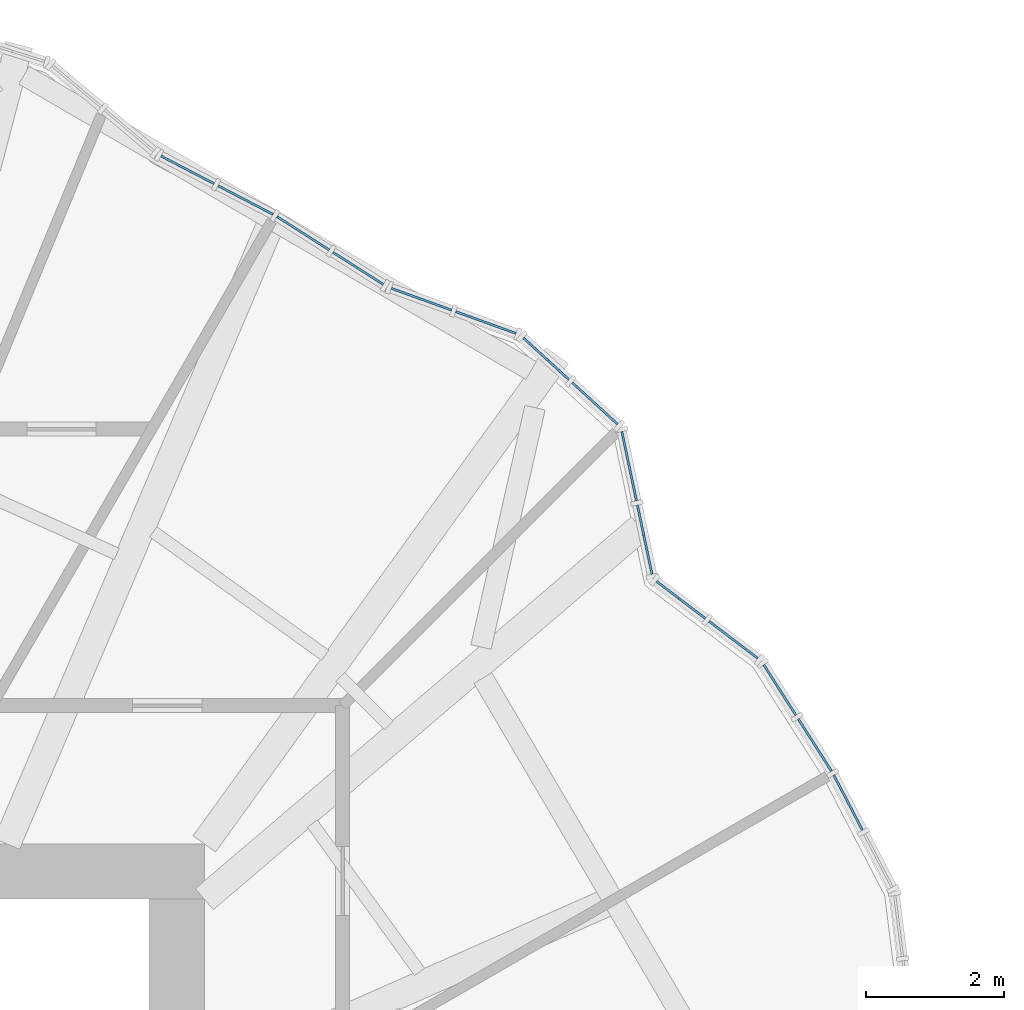
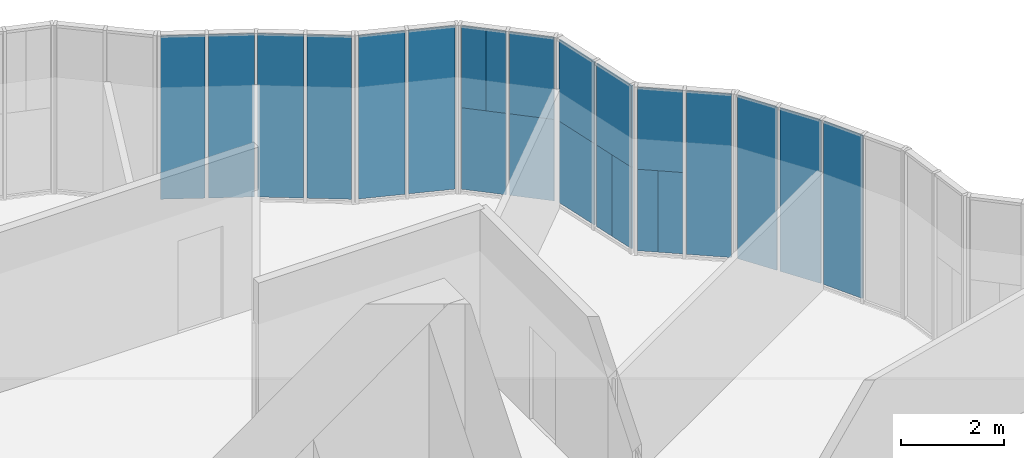
# One storey, part 19 of 23: 23 plates, 8 elements without a shape of their own.
"""IFC4 building model written with IfcOpenShell, lengths in metres."""

from ifc_helpers import new_model, si_unit, direction, frame, origin, origin_2d, place, context, subcontext, project, spatial, rectangle, extrude, material, layer, layer_set, type_object, element, aggregate, save


model = new_model("IFC4")

# Units and contexts
model_context = context("Model", 3, precision=1e-05, world=origin(), true_north=direction((0.0, 1.0)))
body_context = subcontext(model_context, "Body", "Model", "MODEL_VIEW")
ifc_project = project(units=[si_unit("LENGTHUNIT", "METRE"), si_unit("AREAUNIT", "SQUARE_METRE"), si_unit("VOLUMEUNIT", "CUBIC_METRE"), si_unit("PLANEANGLEUNIT", "RADIAN"), si_unit("MASSUNIT", "GRAM", prefix="KILO")], contexts=[model_context])

# Site, building, storey
site_placement = place(None, origin())
site = spatial("IfcSite", under=ifc_project, at=site_placement, CompositionType="ELEMENT")
building_placement = place(site_placement, origin())
building = spatial("IfcBuilding", under=site, at=building_placement, Name="Golbaran Civic Tower", CompositionType="ELEMENT")
storey_placement = place(building_placement, frame((0.0, 0.0, 33.0)))
storey = spatial("IfcBuildingStorey", under=building, at=storey_placement, Name="L07", CompositionType="ELEMENT", Elevation=33.0)

# Curtain wall, plate
ifc_material_1 = material(Name="Aluminium and glass", Category="aluminium")
curtain_wall_type = type_object("IfcCurtainWallType", Name="INNER SKIN CURTAIN WALL", PredefinedType="NOTDEFINED", material=ifc_material_1)
curtain_wall_1_placement = place(storey_placement, origin())
curtain_wall_1 = element("IfcCurtainWall", 1, at=curtain_wall_1_placement, inside=storey, type_object=curtain_wall_type, Name="Inner skin L07 facet 6 CW1", ObjectType="INNER SKIN", PredefinedType="USERDEFINED")
ifc_material_2 = material(Name="Clear insulating glass", Category="glass")
ifc_layer_1 = layer(ifc_material_2, 0.031982421875, Name="Clear insulating glass")
ifc_layer_set_1 = layer_set([ifc_layer_1], Name="Clear insulating glass")
plate_type_1 = type_object("IfcPlateType", Name="INNER SKIN CURTAIN WALL GLAZED PANEL", PredefinedType="CURTAIN_PANEL", material=ifc_layer_set_1)
plate_1_placement = place(storey_placement, frame((19.3134765625, 10.595947265625, 0.06494140625), z_axis=(0.0, 0.0, 1.0), x_axis=(-0.461748613297, 0.887010833146, 0.0)))
plate_1 = element("IfcPlate", 2, at=plate_1_placement, type_object=plate_type_1, Name="CW1 panel 2.1", PredefinedType="CURTAIN_PANEL", context=body_context, shape_type="SweptSolid", body=[
    extrude(rectangle(XDim=0.896484375, YDim=0.031982421875, at=origin_2d()), origin(), (0.0, 0.0, 1.0), 3.8701171875),
])
aggregate(curtain_wall_1, [plate_1])

# Curtain wall, plates
curtain_wall_2_placement = place(storey_placement, origin())
curtain_wall_2 = element("IfcCurtainWall", 3, at=curtain_wall_2_placement, inside=storey, type_object=curtain_wall_type, Name="Inner skin L07 facet 7 CW1", ObjectType="INNER SKIN", PredefinedType="USERDEFINED")
plate_2_placement = place(storey_placement, frame((18.833251953125, 11.427978515625, 0.06494140625), z_axis=(0.0, 0.0, 1.0), x_axis=(-0.537299608406, 0.843391445775, 0.0)))
plate_2 = element("IfcPlate", 4, at=plate_2_placement, type_object=plate_type_1, Name="CW1 panel 1.1", PredefinedType="CURTAIN_PANEL", context=body_context, shape_type="SweptSolid", body=[
    extrude(rectangle(XDim=0.896484375, YDim=0.031982421875, at=origin_2d()), origin(), (0.0, 0.0, 1.0), 3.8701171875),
])
plate_3_placement = place(storey_placement, frame((18.3251953125, 12.225341796875, 0.06494140625), z_axis=(0.0, 0.0, 1.0), x_axis=(-0.537299608406, 0.843391445775, 0.0)))
plate_3 = element("IfcPlate", 5, at=plate_3_placement, type_object=plate_type_1, Name="CW1 panel 2.1", PredefinedType="CURTAIN_PANEL", context=body_context, shape_type="SweptSolid", body=[
    extrude(rectangle(XDim=0.864013671875, YDim=0.031982421875, at=origin_2d()), origin(), (0.0, 0.0, 1.0), 3.8701171875),
])
aggregate(curtain_wall_2, [plate_2, plate_3])

curtain_wall_3_placement = place(storey_placement, origin())
curtain_wall_3 = element("IfcCurtainWall", 6, at=curtain_wall_3_placement, inside=storey, type_object=curtain_wall_type, Name="Inner skin L07 facet 8 CW1", ObjectType="INNER SKIN", PredefinedType="USERDEFINED")
plate_4_placement = place(storey_placement, frame((17.653076171875, 12.952392578125, 0.06494140625), z_axis=(0.0, 0.0, 1.0), x_axis=(-0.796108488496, 0.605153926324, 0.0)))
plate_4 = element("IfcPlate", 7, at=plate_4_placement, type_object=plate_type_1, Name="CW1 panel 1.1", PredefinedType="CURTAIN_PANEL", context=body_context, shape_type="SweptSolid", body=[
    extrude(rectangle(XDim=0.887451171875, YDim=0.031982421875, at=origin_2d()), origin(), (0.0, 0.0, 1.0), 3.8701171875),
])
plate_5_placement = place(storey_placement, frame((17.0546875, 13.4072265625, 0.06494140625), z_axis=(0.0, 0.0, 1.0), x_axis=(-0.796108488496, 0.605153926324, 0.0)))
plate_5 = element("IfcPlate", 8, at=plate_5_placement, type_object=plate_type_1, Name="CW1 panel 2.1 part 1", PredefinedType="CURTAIN_PANEL", context=body_context, shape_type="SweptSolid", body=[
    extrude(rectangle(XDim=0.486083984375, YDim=0.031982421875, at=origin_2d()), origin(), (0.0, 0.0, 1.0), 1.93505859375),
])
plate_6_placement = place(storey_placement, frame((16.894775390625, 13.52880859375, 2.0), z_axis=(0.0, 0.0, 1.0), x_axis=(-0.796108488496, 0.605153926324, 0.0)))
plate_6 = element("IfcPlate", 9, at=plate_6_placement, type_object=plate_type_1, Name="CW1 panel 2.1 part 3", PredefinedType="CURTAIN_PANEL", context=body_context, shape_type="SweptSolid", body=[
    extrude(rectangle(XDim=0.887451171875, YDim=0.031982421875, at=origin_2d()), origin(), (0.0, 0.0, 1.0), 1.93505859375),
])

curtain_wall_4_placement = place(storey_placement, origin())
curtain_wall_4 = element("IfcCurtainWall", 10, at=curtain_wall_4_placement, inside=storey, type_object=curtain_wall_type, Name="Inner skin L07 facet 9 CW1", ObjectType="INNER SKIN", PredefinedType="USERDEFINED")
plate_7_placement = place(storey_placement, frame((16.41650390625, 14.183349609375, 0.06494140625), z_axis=(0.0, 0.0, 1.0), x_axis=(-0.206977086194, 0.978345790501, 0.0)))
plate_7 = element("IfcPlate", 11, at=plate_7_placement, type_object=plate_type_1, Name="CW1 panel 1.1 part 1", PredefinedType="CURTAIN_PANEL", context=body_context, shape_type="SweptSolid", body=[
    extrude(rectangle(XDim=0.5791015625, YDim=0.031982421875, at=origin_2d()), origin(), (0.0, 0.0, 1.0), 1.93505859375),
])
plate_8_placement = place(storey_placement, frame((16.37060546875, 14.400146484375, 2.0), z_axis=(0.0, 0.0, 1.0), x_axis=(-0.206977086194, 0.978345790501, 0.0)))
plate_8 = element("IfcPlate", 12, at=plate_8_placement, type_object=plate_type_1, Name="CW1 panel 1.1 part 3", PredefinedType="CURTAIN_PANEL", context=body_context, shape_type="SweptSolid", body=[
    extrude(rectangle(XDim=1.021728515625, YDim=0.031982421875, at=origin_2d()), origin(), (0.0, 0.0, 1.0), 1.93505859375),
])

# Curtain wall, plate
curtain_wall_5_placement = place(storey_placement, origin())
curtain_wall_5 = element("IfcCurtainWall", 13, at=curtain_wall_5_placement, inside=storey, type_object=curtain_wall_type, Name="Inner skin L07 facet 10 CW1", ObjectType="INNER SKIN", PredefinedType="USERDEFINED")
plate_9_placement = place(storey_placement, frame((14.7978515625, 17.152587890625, 2.0), z_axis=(0.0, 0.0, 1.0), x_axis=(-0.737277336975, 0.675590207436, 0.0)))
plate_9 = element("IfcPlate", 14, at=plate_9_placement, type_object=plate_type_1, Name="CW1 panel 2.1 part 3", PredefinedType="CURTAIN_PANEL", context=body_context, shape_type="SweptSolid", body=[
    extrude(rectangle(XDim=0.4912109375, YDim=0.031982421875, at=origin_2d()), origin(), (0.0, 0.0, 1.0), 1.93505859375),
])

# Curtain wall, plates
curtain_wall_6_placement = place(storey_placement, origin())
curtain_wall_6 = element("IfcCurtainWall", 15, at=curtain_wall_6_placement, inside=storey, type_object=curtain_wall_type, Name="Inner skin L07 facet 11 CW1", ObjectType="INNER SKIN", PredefinedType="USERDEFINED")
plate_10_placement = place(storey_placement, frame((14.072509765625, 17.5419921875, 0.06494140625), z_axis=(0.0, 0.0, 1.0), x_axis=(-0.940409013239, 0.340045420228, 0.0)))
plate_10 = element("IfcPlate", 16, at=plate_10_placement, type_object=plate_type_1, Name="CW1 panel 1.1", PredefinedType="CURTAIN_PANEL", context=body_context, shape_type="SweptSolid", body=[
    extrude(rectangle(XDim=0.925537109375, YDim=0.031982421875, at=origin_2d()), origin(), (0.0, 0.0, 1.0), 3.8701171875),
])
plate_11_placement = place(storey_placement, frame((13.140869140625, 17.878662109375, 0.06494140625), z_axis=(0.0, 0.0, 1.0), x_axis=(-0.940409013239, 0.340045420228, 0.0)))
plate_11 = element("IfcPlate", 17, at=plate_11_placement, type_object=plate_type_1, Name="CW1 panel 2.1", PredefinedType="CURTAIN_PANEL", context=body_context, shape_type="SweptSolid", body=[
    extrude(rectangle(XDim=0.925537109375, YDim=0.031982421875, at=origin_2d()), origin(), (0.0, 0.0, 1.0), 3.8701171875),
])
aggregate(curtain_wall_6, [plate_10, plate_11])

curtain_wall_7_placement = place(storey_placement, origin())
curtain_wall_7 = element("IfcCurtainWall", 18, at=curtain_wall_7_placement, inside=storey, type_object=curtain_wall_type, Name="Inner skin L07 facet 12 CW1", ObjectType="INNER SKIN", PredefinedType="USERDEFINED")
plate_12_placement = place(storey_placement, frame((12.225341796875, 18.3251953125, 0.06494140625), z_axis=(0.0, 0.0, 1.0), x_axis=(-0.843391445775, 0.537299608406, 0.0)))
plate_12 = element("IfcPlate", 19, at=plate_12_placement, type_object=plate_type_1, Name="CW1 panel 1.1", PredefinedType="CURTAIN_PANEL", context=body_context, shape_type="SweptSolid", body=[
    extrude(rectangle(XDim=0.864013671875, YDim=0.031982421875, at=origin_2d()), origin(), (0.0, 0.0, 1.0), 3.8701171875),
])
plate_13_placement = place(storey_placement, frame((11.427978515625, 18.833251953125, 0.06494140625), z_axis=(0.0, 0.0, 1.0), x_axis=(-0.843391445775, 0.537299608406, 0.0)))
plate_13 = element("IfcPlate", 20, at=plate_13_placement, type_object=plate_type_1, Name="CW1 panel 2.1", PredefinedType="CURTAIN_PANEL", context=body_context, shape_type="SweptSolid", body=[
    extrude(rectangle(XDim=0.896484375, YDim=0.031982421875, at=origin_2d()), origin(), (0.0, 0.0, 1.0), 3.8701171875),
])
aggregate(curtain_wall_7, [plate_12, plate_13])

curtain_wall_8_placement = place(storey_placement, origin())
curtain_wall_8 = element("IfcCurtainWall", 21, at=curtain_wall_8_placement, inside=storey, type_object=curtain_wall_type, Name="Inner skin L07 facet 13 CW1", ObjectType="INNER SKIN", PredefinedType="USERDEFINED")
plate_14_placement = place(storey_placement, frame((10.595947265625, 19.3134765625, 0.06494140625), z_axis=(0.0, 0.0, 1.0), x_axis=(-0.887010833146, 0.461748613297, 0.0)))
plate_14 = element("IfcPlate", 22, at=plate_14_placement, type_object=plate_type_1, Name="CW1 panel 1.1", PredefinedType="CURTAIN_PANEL", context=body_context, shape_type="SweptSolid", body=[
    extrude(rectangle(XDim=0.896484375, YDim=0.031982421875, at=origin_2d()), origin(), (0.0, 0.0, 1.0), 3.8701171875),
])
plate_15_placement = place(storey_placement, frame((9.757568359375, 19.75, 0.06494140625), z_axis=(0.0, 0.0, 1.0), x_axis=(-0.887010833146, 0.461748613297, 0.0)))
plate_15 = element("IfcPlate", 23, at=plate_15_placement, type_object=plate_type_1, Name="CW1 panel 2.1", PredefinedType="CURTAIN_PANEL", context=body_context, shape_type="SweptSolid", body=[
    extrude(rectangle(XDim=0.864013671875, YDim=0.031982421875, at=origin_2d()), origin(), (0.0, 0.0, 1.0), 3.8701171875),
])
aggregate(curtain_wall_8, [plate_14, plate_15])

# Plate
ifc_material_3 = material(Name="Aluminium faced opaque infill panel", Category="aluminium")
ifc_layer_2 = layer(ifc_material_3, 0.031982421875, Name="Aluminium faced opaque infill panel")
ifc_layer_set_2 = layer_set([ifc_layer_2], Name="Aluminium faced opaque infill panel")
plate_type_2 = type_object("IfcPlateType", Name="INNER SKIN CURTAIN WALL OPAQUE INFILL PANEL", PredefinedType="CURTAIN_PANEL", material=ifc_layer_set_2)
plate_16_placement = place(storey_placement, frame((16.701416015625, 13.67578125, 0.06494140625), z_axis=(0.0, 0.0, 1.0), x_axis=(-0.796108488496, 0.605153926324, 0.0)))
plate_16 = element("IfcPlate", 24, at=plate_16_placement, type_object=plate_type_2, Name="CW1 infill panel 2.1 part 2", PredefinedType="CURTAIN_PANEL", context=body_context, shape_type="SweptSolid", body=[
    extrude(rectangle(XDim=0.401611328125, YDim=0.031982421875, at=origin_2d()), origin(), (0.0, 0.0, 1.0), 1.93505859375),
])

aggregate(curtain_wall_3, [plate_4, plate_5, plate_16, plate_6])

plate_17_placement = place(storey_placement, frame((16.310791015625, 14.683349609375, 0.06494140625), z_axis=(0.0, 0.0, 1.0), x_axis=(-0.206977086194, 0.978345790501, 0.0)))
plate_17 = element("IfcPlate", 25, at=plate_17_placement, type_object=plate_type_2, Name="CW1 infill panel 1.1 part 2", PredefinedType="CURTAIN_PANEL", context=body_context, shape_type="SweptSolid", body=[
    extrude(rectangle(XDim=0.442626953125, YDim=0.031982421875, at=origin_2d()), origin(), (0.0, 0.0, 1.0), 1.93505859375),
])

plate_18_placement = place(storey_placement, frame((16.145751953125, 15.463134765625, 0.06494140625), z_axis=(0.0, 0.0, 1.0), x_axis=(-0.206977086194, 0.978345790501, 0.0)))
plate_18 = element("IfcPlate", 26, at=plate_18_placement, type_object=plate_type_2, Name="CW1 infill panel 2.1 part 1", PredefinedType="CURTAIN_PANEL", context=body_context, shape_type="SweptSolid", body=[
    extrude(rectangle(XDim=1.021728515625, YDim=0.031982421875, at=origin_2d()), origin(), (0.0, 0.0, 1.0), 1.93505859375),
])

plate_19_placement = place(storey_placement, frame((16.145751953125, 15.463134765625, 2.0), z_axis=(0.0, 0.0, 1.0), x_axis=(-0.206977086194, 0.978345790501, 0.0)))
plate_19 = element("IfcPlate", 27, at=plate_19_placement, type_object=plate_type_2, Name="CW1 infill panel 2.1 part 2", PredefinedType="CURTAIN_PANEL", context=body_context, shape_type="SweptSolid", body=[
    extrude(rectangle(XDim=1.021728515625, YDim=0.031982421875, at=origin_2d()), origin(), (0.0, 0.0, 1.0), 1.93505859375),
])

aggregate(curtain_wall_4, [plate_7, plate_17, plate_8, plate_18, plate_19])

plate_20_placement = place(storey_placement, frame((15.650146484375, 16.37158203125, 0.06494140625), z_axis=(0.0, 0.0, 1.0), x_axis=(-0.737277336975, 0.675590207436, 0.0)))
plate_20 = element("IfcPlate", 28, at=plate_20_placement, type_object=plate_type_2, Name="CW1 infill panel 1.1 part 1", PredefinedType="CURTAIN_PANEL", context=body_context, shape_type="SweptSolid", body=[
    extrude(rectangle(XDim=0.89111328125, YDim=0.031982421875, at=origin_2d()), origin(), (0.0, 0.0, 1.0), 1.93505859375),
])

plate_21_placement = place(storey_placement, frame((15.650146484375, 16.37158203125, 2.0), z_axis=(0.0, 0.0, 1.0), x_axis=(-0.737277336975, 0.675590207436, 0.0)))
plate_21 = element("IfcPlate", 29, at=plate_21_placement, type_object=plate_type_2, Name="CW1 infill panel 1.1 part 2", PredefinedType="CURTAIN_PANEL", context=body_context, shape_type="SweptSolid", body=[
    extrude(rectangle(XDim=0.89111328125, YDim=0.031982421875, at=origin_2d()), origin(), (0.0, 0.0, 1.0), 1.93505859375),
])

plate_22_placement = place(storey_placement, frame((14.9453125, 17.017578125, 0.06494140625), z_axis=(0.0, 0.0, 1.0), x_axis=(-0.737277336975, 0.675590207436, 0.0)))
plate_22 = element("IfcPlate", 30, at=plate_22_placement, type_object=plate_type_2, Name="CW1 infill panel 2.1 part 1", PredefinedType="CURTAIN_PANEL", context=body_context, shape_type="SweptSolid", body=[
    extrude(rectangle(XDim=0.89111328125, YDim=0.031982421875, at=origin_2d()), origin(), (0.0, 0.0, 1.0), 1.93505859375),
])

plate_23_placement = place(storey_placement, frame((15.126220703125, 16.8515625, 2.0), z_axis=(0.0, 0.0, 1.0), x_axis=(-0.737277336975, 0.675590207436, 0.0)))
plate_23 = element("IfcPlate", 31, at=plate_23_placement, type_object=plate_type_2, Name="CW1 infill panel 2.1 part 2", PredefinedType="CURTAIN_PANEL", context=body_context, shape_type="SweptSolid", body=[
    extrude(rectangle(XDim=0.39990234375, YDim=0.031982421875, at=origin_2d()), origin(), (0.0, 0.0, 1.0), 1.93505859375),
])

aggregate(curtain_wall_5, [plate_20, plate_21, plate_22, plate_23, plate_9])

save(model, "model.ifc")
